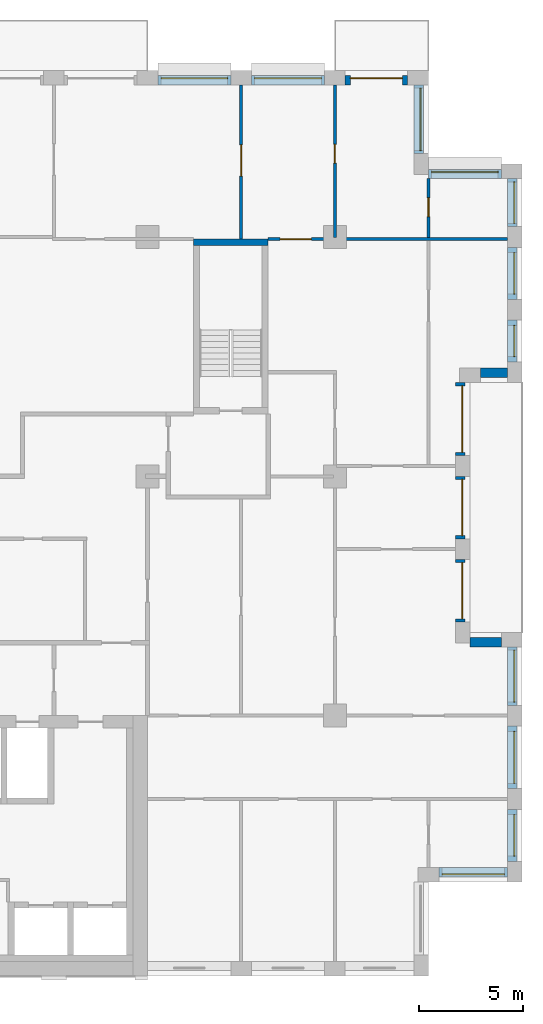
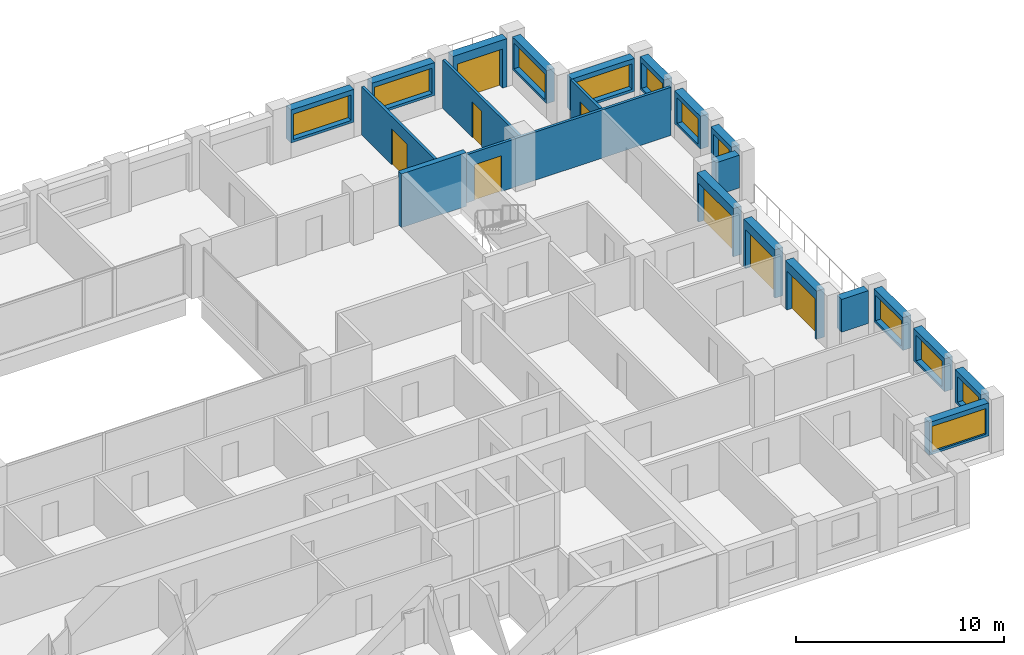
# One storey, part 14 of 16: 22 walls, 11 windows, 8 doors, 19 openings.
"""IFC4 building model written with IfcOpenShell, lengths in metres."""

from ifc_helpers import new_model, si_unit, direction, frame, frame_2d, origin, place, context, subcontext, project, spatial, rectangle, extrude, material, layer, layer_set, type_object, element, fill, save


model = new_model("IFC4")

# Units and contexts
model_context = context("Model", 3, precision=1e-05, world=origin(), true_north=direction((0.0, 1.0)))
body_context = subcontext(model_context, "Body", "Model", "MODEL_VIEW")
ifc_project = project(units=[si_unit("LENGTHUNIT", "METRE"), si_unit("AREAUNIT", "SQUARE_METRE"), si_unit("VOLUMEUNIT", "CUBIC_METRE"), si_unit("PLANEANGLEUNIT", "RADIAN"), si_unit("MASSUNIT", "GRAM", prefix="KILO")], contexts=[model_context])

# Site, building, storey
site_placement = place(None, origin())
site = spatial("IfcSite", under=ifc_project, at=site_placement, CompositionType="ELEMENT")
building_placement = place(site_placement, origin())
building = spatial("IfcBuilding", under=site, at=building_placement, Name="Brigalow Station Residences", CompositionType="ELEMENT")
storey_placement = place(building_placement, frame((0.0, 0.0, 179.10009765625)))
storey = spatial("IfcBuildingStorey", under=building, at=storey_placement, Name="L52", CompositionType="ELEMENT", Elevation=179.10009765625)

# Wall, opening, window
ifc_material_1 = material(Name="Clay brick masonry", Category="masonry")
ifc_layer_1 = layer(ifc_material_1, 0.449951171875)
ifc_layer_set_1 = layer_set([ifc_layer_1], Name="BRICK INFILL WALL 450")
wall_type_1 = type_object("IfcWallType", Name="BRICK INFILL WALL 450", PredefinedType="SOLIDWALL", material=ifc_layer_set_1)
wall_1_placement = place(storey_placement, frame((68.0, 4.97509765625, 0.89990234375), z_axis=(0.0, 0.0, 1.0), x_axis=(1.0, 0.0, 0.0)))
wall_1 = element("IfcWall", 1, at=wall_1_placement, inside=storey, type_object=wall_type_1, Name="L52/ewall/W-L52-8", PredefinedType="SOLIDWALL", context=body_context, shape_type="SweptSolid", body=[
    extrude(rectangle(XDim=3.300048828125, YDim=0.449951171875, at=frame_2d((1.64990234375, 0.0))), origin(), (0.0, 0.0, 1.0), 1.929931640625),
])
opening_1_placement = place(wall_1_placement, frame((0.14990234375, 0.0, 0.14990234375)))
opening_1 = element("IfcOpeningElement", 2, at=opening_1_placement, cuts=wall_1, Name="Opening WT-2", PredefinedType="OPENING", context=body_context, shape_type="SweptSolid", body=[
    extrude(rectangle(XDim=3.0, YDim=1.5, at=frame_2d((1.5, 0.75))), frame((0.0, 0.23486328125, 0.0), z_axis=(0.0, -1.0, 0.0), x_axis=(1.0, 0.0, 0.0)), (0.0, 0.0, 1.0), 0.469970703125),
])
ifc_material_2 = material(Name="Anodised aluminium frame with double glazing", Category="aluminium")
window_type_1 = type_object("IfcWindowType", Name="WINDOW 3000x1500", PartitioningType="SINGLE_PANEL", PredefinedType="WINDOW", material=ifc_material_2)
window_1_placement = place(opening_1_placement, origin())
window_1 = element("IfcWindow", 3, at=window_1_placement, inside=storey, type_object=window_type_1, Name="L52/window/W-L52-8", OverallHeight=1.5, OverallWidth=3.0, PartitioningType="SINGLE_PANEL", PredefinedType="WINDOW", context=body_context, shape_type="SweptSolid", body=[
    extrude(rectangle(XDim=3.0, YDim=1.5, at=frame_2d((1.5, 0.75))), frame((0.0, -0.06494140625, 0.0), z_axis=(0.0, -1.0, 0.0), x_axis=(1.0, 0.0, 0.0)), (0.0, 0.0, 1.0), 0.06005859375),
])
fill(opening_1, window_1)

wall_2_placement = place(storey_placement, frame((71.52490234375, 5.5, 0.89990234375), z_axis=(0.0, 0.0, 1.0), x_axis=(0.0, 1.0, 0.0)))
wall_2 = element("IfcWall", 4, at=wall_2_placement, inside=storey, type_object=wall_type_1, Name="L52/ewall/W-L52-9", PredefinedType="SOLIDWALL", context=body_context, shape_type="SweptSolid", body=[
    extrude(rectangle(XDim=2.5, YDim=0.449951171875, at=frame_2d((1.25, 0.0))), origin(), (0.0, 0.0, 1.0), 1.929931640625),
])
opening_2_placement = place(wall_2_placement, frame((0.25, 0.0, 0.14990234375)))
opening_2 = element("IfcOpeningElement", 5, at=opening_2_placement, cuts=wall_2, Name="Opening WT-7", PredefinedType="OPENING", context=body_context, shape_type="SweptSolid", body=[
    extrude(rectangle(XDim=2.0, YDim=1.5, at=frame_2d((1.0, 0.75))), frame((0.0, 0.23486328125, 0.0), z_axis=(0.0, -1.0, 0.0), x_axis=(1.0, 0.0, 0.0)), (0.0, 0.0, 1.0), 0.469970703125),
])
ifc_material_3 = material(Name="Anodised aluminium frame with double glazing", Category="aluminium")
window_type_2 = type_object("IfcWindowType", Name="WINDOW 2000x1500", PartitioningType="SINGLE_PANEL", PredefinedType="WINDOW", material=ifc_material_3)
window_2_placement = place(opening_2_placement, origin())
window_2 = element("IfcWindow", 6, at=window_2_placement, inside=storey, type_object=window_type_2, Name="L52/window/W-L52-9", OverallHeight=1.5, OverallWidth=2.0, PartitioningType="SINGLE_PANEL", PredefinedType="WINDOW", context=body_context, shape_type="SweptSolid", body=[
    extrude(rectangle(XDim=2.0, YDim=1.5, at=frame_2d((1.0, 0.75))), frame((0.0, -0.06494140625, 0.0), z_axis=(0.0, -1.0, 0.0), x_axis=(1.0, 0.0, 0.0)), (0.0, 0.0, 1.0), 0.06005859375),
])
fill(opening_2, window_2)

wall_3_placement = place(storey_placement, frame((71.52490234375, 9.0, 0.89990234375), z_axis=(0.0, 0.0, 1.0), x_axis=(0.0, 1.0, 0.0)))
wall_3 = element("IfcWall", 7, at=wall_3_placement, inside=storey, type_object=wall_type_1, Name="L52/ewall/W-L52-10", PredefinedType="SOLIDWALL", context=body_context, shape_type="SweptSolid", body=[
    extrude(rectangle(XDim=3.0, YDim=0.449951171875, at=frame_2d((1.5, 0.0))), origin(), (0.0, 0.0, 1.0), 1.929931640625),
])
opening_3_placement = place(wall_3_placement, frame((0.25, 0.0, 0.14990234375)))
opening_3 = element("IfcOpeningElement", 8, at=opening_3_placement, cuts=wall_3, Name="Opening WT-5", PredefinedType="OPENING", context=body_context, shape_type="SweptSolid", body=[
    extrude(rectangle(XDim=2.5, YDim=1.5, at=frame_2d((1.25, 0.75))), frame((0.0, 0.23486328125, 0.0), z_axis=(0.0, -1.0, 0.0), x_axis=(1.0, 0.0, 0.0)), (0.0, 0.0, 1.0), 0.469970703125),
])
ifc_material_4 = material(Name="Anodised aluminium frame with double glazing", Category="aluminium")
window_type_3 = type_object("IfcWindowType", Name="WINDOW 2500x1500", PartitioningType="SINGLE_PANEL", PredefinedType="WINDOW", material=ifc_material_4)
window_3_placement = place(opening_3_placement, origin())
window_3 = element("IfcWindow", 9, at=window_3_placement, inside=storey, type_object=window_type_3, Name="L52/window/W-L52-10", OverallHeight=1.5, OverallWidth=2.5, PartitioningType="SINGLE_PANEL", PredefinedType="WINDOW", context=body_context, shape_type="SweptSolid", body=[
    extrude(rectangle(XDim=2.5, YDim=1.5, at=frame_2d((1.25, 0.75))), frame((0.0, -0.06494140625, 0.0), z_axis=(0.0, -1.0, 0.0), x_axis=(1.0, 0.0, 0.0)), (0.0, 0.0, 1.0), 0.06005859375),
])
fill(opening_3, window_3)

wall_4_placement = place(storey_placement, frame((71.52490234375, 13.0, 0.89990234375), z_axis=(0.0, 0.0, 1.0), x_axis=(0.0, 1.0, 0.0)))
wall_4 = element("IfcWall", 10, at=wall_4_placement, inside=storey, type_object=wall_type_1, Name="L52/ewall/W-L52-11", PredefinedType="SOLIDWALL", context=body_context, shape_type="SweptSolid", body=[
    extrude(rectangle(XDim=2.800048828125, YDim=0.449951171875, at=frame_2d((1.39990234375, 0.0))), origin(), (0.0, 0.0, 1.0), 1.929931640625),
])
opening_4_placement = place(wall_4_placement, frame((0.14990234375, 0.0, 0.14990234375)))
opening_4 = element("IfcOpeningElement", 11, at=opening_4_placement, cuts=wall_4, Name="Opening WT-5", PredefinedType="OPENING", context=body_context, shape_type="SweptSolid", body=[
    extrude(rectangle(XDim=2.5, YDim=1.5, at=frame_2d((1.25, 0.75))), frame((0.0, 0.23486328125, 0.0), z_axis=(0.0, -1.0, 0.0), x_axis=(1.0, 0.0, 0.0)), (0.0, 0.0, 1.0), 0.469970703125),
])
window_4_placement = place(opening_4_placement, origin())
window_4 = element("IfcWindow", 12, at=window_4_placement, inside=storey, type_object=window_type_3, Name="L52/window/W-L52-11", OverallHeight=1.5, OverallWidth=2.5, PartitioningType="SINGLE_PANEL", PredefinedType="WINDOW", context=body_context, shape_type="SweptSolid", body=[
    extrude(rectangle(XDim=2.5, YDim=1.5, at=frame_2d((1.25, 0.75))), frame((0.0, -0.06494140625, 0.0), z_axis=(0.0, -1.0, 0.0), x_axis=(1.0, 0.0, 0.0)), (0.0, 0.0, 1.0), 0.06005859375),
])
fill(opening_4, window_4)

# Wall
wall_5_placement = place(storey_placement, frame((71.0, 16.02490234375, 0.89990234375), z_axis=(0.0, 0.0, 1.0), x_axis=(-1.0, 0.0, 0.0)))
element("IfcWall", 13, at=wall_5_placement, inside=storey, type_object=wall_type_1, Name="L52/ewall/W-L52-12", PredefinedType="SOLIDWALL", context=body_context, shape_type="SweptSolid", body=[
    extrude(rectangle(XDim=1.5, YDim=0.449951171875, at=frame_2d((0.75, 0.0))), origin(), (0.0, 0.0, 1.0), 1.929931640625),
])

# Wall, opening, door
wall_6_placement = place(storey_placement, frame((69.02490234375, 17.0, 0.0), z_axis=(0.0, 0.0, 1.0), x_axis=(0.0, 1.0, 0.0)))
wall_6 = element("IfcWall", 14, at=wall_6_placement, inside=storey, type_object=wall_type_1, Name="L52/ewall/W-L52-13", PredefinedType="SOLIDWALL", context=body_context, shape_type="SweptSolid", body=[
    extrude(rectangle(XDim=3.0, YDim=0.449951171875, at=frame_2d((1.5, 0.0))), origin(), (0.0, 0.0, 1.0), 2.829833984375),
])
opening_5_placement = place(wall_6_placement, frame((0.14990234375, 0.0, 0.0)))
opening_5 = element("IfcOpeningElement", 15, at=opening_5_placement, cuts=wall_6, Name="Opening D-B2700", PredefinedType="OPENING", context=body_context, shape_type="SweptSolid", body=[
    extrude(rectangle(XDim=2.699951171875, YDim=2.300048828125, at=frame_2d((1.35009765625, 1.14990234375))), frame((0.0, 0.23486328125, 0.0), z_axis=(0.0, -1.0, 0.0), x_axis=(1.0, 0.0, 0.0)), (0.0, 0.0, 1.0), 0.469970703125),
])
ifc_material_5 = material(Name="Anodised aluminium frame with double glazing", Category="aluminium")
door_type_1 = type_object("IfcDoorType", Name="BALCONY SLIDING DOOR 2700x2300", OperationType="SLIDING_TO_LEFT", PredefinedType="DOOR", material=ifc_material_5)
door_1_placement = place(opening_5_placement, origin())
door_1 = element("IfcDoor", 16, at=door_1_placement, inside=storey, type_object=door_type_1, Name="L52/balcony-door/W-L52-13", OperationType="SLIDING_TO_LEFT", OverallHeight=2.300048828125, OverallWidth=2.699951171875, PredefinedType="DOOR", context=body_context, shape_type="SweptSolid", body=[
    extrude(rectangle(XDim=2.699951171875, YDim=2.300048828125, at=frame_2d((1.35009765625, 1.14990234375))), frame((0.0, -0.06982421875, 0.0), z_axis=(0.0, -1.0, 0.0), x_axis=(1.0, 0.0, 0.0)), (0.0, 0.0, 1.0), 0.050048828125),
])
fill(opening_5, door_1)

wall_7_placement = place(storey_placement, frame((69.02490234375, 21.0, 0.0), z_axis=(0.0, 0.0, 1.0), x_axis=(0.0, 1.0, 0.0)))
wall_7 = element("IfcWall", 17, at=wall_7_placement, inside=storey, type_object=wall_type_1, Name="L52/ewall/W-L52-14", PredefinedType="SOLIDWALL", context=body_context, shape_type="SweptSolid", body=[
    extrude(rectangle(XDim=3.0, YDim=0.449951171875, at=frame_2d((1.5, 0.0))), origin(), (0.0, 0.0, 1.0), 2.829833984375),
])
opening_6_placement = place(wall_7_placement, frame((0.14990234375, 0.0, 0.0)))
opening_6 = element("IfcOpeningElement", 18, at=opening_6_placement, cuts=wall_7, Name="Opening D-B2700", PredefinedType="OPENING", context=body_context, shape_type="SweptSolid", body=[
    extrude(rectangle(XDim=2.699951171875, YDim=2.300048828125, at=frame_2d((1.35009765625, 1.14990234375))), frame((0.0, 0.23486328125, 0.0), z_axis=(0.0, -1.0, 0.0), x_axis=(1.0, 0.0, 0.0)), (0.0, 0.0, 1.0), 0.469970703125),
])
door_2_placement = place(opening_6_placement, origin())
door_2 = element("IfcDoor", 19, at=door_2_placement, inside=storey, type_object=door_type_1, Name="L52/balcony-door/W-L52-14", OperationType="SLIDING_TO_LEFT", OverallHeight=2.300048828125, OverallWidth=2.699951171875, PredefinedType="DOOR", context=body_context, shape_type="SweptSolid", body=[
    extrude(rectangle(XDim=2.699951171875, YDim=2.300048828125, at=frame_2d((1.35009765625, 1.14990234375))), frame((0.0, -0.06982421875, 0.0), z_axis=(0.0, -1.0, 0.0), x_axis=(1.0, 0.0, 0.0)), (0.0, 0.0, 1.0), 0.050048828125),
])
fill(opening_6, door_2)

wall_8_placement = place(storey_placement, frame((69.02490234375, 25.0, 0.0), z_axis=(0.0, 0.0, 1.0), x_axis=(0.0, 1.0, 0.0)))
wall_8 = element("IfcWall", 20, at=wall_8_placement, inside=storey, type_object=wall_type_1, Name="L52/ewall/W-L52-15", PredefinedType="SOLIDWALL", context=body_context, shape_type="SweptSolid", body=[
    extrude(rectangle(XDim=3.5, YDim=0.449951171875, at=frame_2d((1.75, 0.0))), origin(), (0.0, 0.0, 1.0), 2.829833984375),
])
opening_7_placement = place(wall_8_placement, frame((0.14990234375, 0.0, 0.0)))
opening_7 = element("IfcOpeningElement", 21, at=opening_7_placement, cuts=wall_8, Name="Opening D-B3200", PredefinedType="OPENING", context=body_context, shape_type="SweptSolid", body=[
    extrude(rectangle(XDim=3.199951171875, YDim=2.300048828125, at=frame_2d((1.60009765625, 1.14990234375))), frame((0.0, 0.23486328125, 0.0), z_axis=(0.0, -1.0, 0.0), x_axis=(1.0, 0.0, 0.0)), (0.0, 0.0, 1.0), 0.469970703125),
])
ifc_material_6 = material(Name="Anodised aluminium frame with double glazing", Category="aluminium")
door_type_2 = type_object("IfcDoorType", Name="BALCONY SLIDING DOOR 3200x2300", OperationType="SLIDING_TO_LEFT", PredefinedType="DOOR", material=ifc_material_6)
door_3_placement = place(opening_7_placement, origin())
door_3 = element("IfcDoor", 22, at=door_3_placement, inside=storey, type_object=door_type_2, Name="L52/balcony-door/W-L52-15", OperationType="SLIDING_TO_LEFT", OverallHeight=2.300048828125, OverallWidth=3.199951171875, PredefinedType="DOOR", context=body_context, shape_type="SweptSolid", body=[
    extrude(rectangle(XDim=3.199951171875, YDim=2.300048828125, at=frame_2d((1.60009765625, 1.14990234375))), frame((0.0, -0.06982421875, 0.0), z_axis=(0.0, -1.0, 0.0), x_axis=(1.0, 0.0, 0.0)), (0.0, 0.0, 1.0), 0.050048828125),
])
fill(opening_7, door_3)

# Wall
wall_9_placement = place(storey_placement, frame((70.0, 28.97509765625, 0.89990234375), z_axis=(0.0, 0.0, 1.0), x_axis=(1.0, 0.0, 0.0)))
element("IfcWall", 23, at=wall_9_placement, inside=storey, type_object=wall_type_1, Name="L52/ewall/W-L52-16", PredefinedType="SOLIDWALL", context=body_context, shape_type="SweptSolid", body=[
    extrude(rectangle(XDim=1.300048828125, YDim=0.449951171875, at=frame_2d((0.64990234375, 0.0))), origin(), (0.0, 0.0, 1.0), 1.929931640625),
])

# Wall, opening, window
wall_10_placement = place(storey_placement, frame((71.52490234375, 29.5, 0.89990234375), z_axis=(0.0, 0.0, 1.0), x_axis=(0.0, 1.0, 0.0)))
wall_10 = element("IfcWall", 24, at=wall_10_placement, inside=storey, type_object=wall_type_1, Name="L52/ewall/W-L52-17", PredefinedType="SOLIDWALL", context=body_context, shape_type="SweptSolid", body=[
    extrude(rectangle(XDim=2.0, YDim=0.449951171875, at=frame_2d((1.0, 0.0))), origin(), (0.0, 0.0, 1.0), 1.929931640625),
])
opening_8_placement = place(wall_10_placement, frame((0.25, 0.0, 0.14990234375)))
opening_8 = element("IfcOpeningElement", 25, at=opening_8_placement, cuts=wall_10, Name="Opening WT-1", PredefinedType="OPENING", context=body_context, shape_type="SweptSolid", body=[
    extrude(rectangle(XDim=1.5, YDim=1.5, at=frame_2d((0.75, 0.75))), frame((0.0, 0.23486328125, 0.0), z_axis=(0.0, -1.0, 0.0), x_axis=(1.0, 0.0, 0.0)), (0.0, 0.0, 1.0), 0.469970703125),
])
ifc_material_7 = material(Name="Anodised aluminium frame with double glazing", Category="aluminium")
window_type_4 = type_object("IfcWindowType", Name="WINDOW 1500x1500", PartitioningType="SINGLE_PANEL", PredefinedType="WINDOW", material=ifc_material_7)
window_5_placement = place(opening_8_placement, origin())
window_5 = element("IfcWindow", 26, at=window_5_placement, inside=storey, type_object=window_type_4, Name="L52/window/W-L52-17", OverallHeight=1.5, OverallWidth=1.5, PartitioningType="SINGLE_PANEL", PredefinedType="WINDOW", context=body_context, shape_type="SweptSolid", body=[
    extrude(rectangle(XDim=1.5, YDim=1.5, at=frame_2d((0.75, 0.75))), frame((0.0, -0.06494140625, 0.0), z_axis=(0.0, -1.0, 0.0), x_axis=(1.0, 0.0, 0.0)), (0.0, 0.0, 1.0), 0.06005859375),
])
fill(opening_8, window_5)

wall_11_placement = place(storey_placement, frame((71.52490234375, 32.5, 0.89990234375), z_axis=(0.0, 0.0, 1.0), x_axis=(0.0, 1.0, 0.0)))
wall_11 = element("IfcWall", 27, at=wall_11_placement, inside=storey, type_object=wall_type_1, Name="L52/ewall/W-L52-18", PredefinedType="SOLIDWALL", context=body_context, shape_type="SweptSolid", body=[
    extrude(rectangle(XDim=2.5, YDim=0.449951171875, at=frame_2d((1.25, 0.0))), origin(), (0.0, 0.0, 1.0), 1.929931640625),
])
opening_9_placement = place(wall_11_placement, frame((0.25, 0.0, 0.14990234375)))
opening_9 = element("IfcOpeningElement", 28, at=opening_9_placement, cuts=wall_11, Name="Opening WT-7", PredefinedType="OPENING", context=body_context, shape_type="SweptSolid", body=[
    extrude(rectangle(XDim=2.0, YDim=1.5, at=frame_2d((1.0, 0.75))), frame((0.0, 0.23486328125, 0.0), z_axis=(0.0, -1.0, 0.0), x_axis=(1.0, 0.0, 0.0)), (0.0, 0.0, 1.0), 0.469970703125),
])
window_6_placement = place(opening_9_placement, origin())
window_6 = element("IfcWindow", 29, at=window_6_placement, inside=storey, type_object=window_type_2, Name="L52/window/W-L52-18", OverallHeight=1.5, OverallWidth=2.0, PartitioningType="SINGLE_PANEL", PredefinedType="WINDOW", context=body_context, shape_type="SweptSolid", body=[
    extrude(rectangle(XDim=2.0, YDim=1.5, at=frame_2d((1.0, 0.75))), frame((0.0, -0.06494140625, 0.0), z_axis=(0.0, -1.0, 0.0), x_axis=(1.0, 0.0, 0.0)), (0.0, 0.0, 1.0), 0.06005859375),
])
fill(opening_9, window_6)

wall_12_placement = place(storey_placement, frame((71.52490234375, 36.0, 0.89990234375), z_axis=(0.0, 0.0, 1.0), x_axis=(0.0, 1.0, 0.0)))
wall_12 = element("IfcWall", 30, at=wall_12_placement, inside=storey, type_object=wall_type_1, Name="L52/ewall/W-L52-19", PredefinedType="SOLIDWALL", context=body_context, shape_type="SweptSolid", body=[
    extrude(rectangle(XDim=2.300048828125, YDim=0.449951171875, at=frame_2d((1.14990234375, 0.0))), origin(), (0.0, 0.0, 1.0), 1.929931640625),
])
opening_10_placement = place(wall_12_placement, frame((0.14990234375, 0.0, 0.14990234375)))
opening_10 = element("IfcOpeningElement", 31, at=opening_10_placement, cuts=wall_12, Name="Opening WT-7", PredefinedType="OPENING", context=body_context, shape_type="SweptSolid", body=[
    extrude(rectangle(XDim=2.0, YDim=1.5, at=frame_2d((1.0, 0.75))), frame((0.0, 0.23486328125, 0.0), z_axis=(0.0, -1.0, 0.0), x_axis=(1.0, 0.0, 0.0)), (0.0, 0.0, 1.0), 0.469970703125),
])
window_7_placement = place(opening_10_placement, origin())
window_7 = element("IfcWindow", 32, at=window_7_placement, inside=storey, type_object=window_type_2, Name="L52/window/W-L52-19", OverallHeight=1.5, OverallWidth=2.0, PartitioningType="SINGLE_PANEL", PredefinedType="WINDOW", context=body_context, shape_type="SweptSolid", body=[
    extrude(rectangle(XDim=2.0, YDim=1.5, at=frame_2d((1.0, 0.75))), frame((0.0, -0.06494140625, 0.0), z_axis=(0.0, -1.0, 0.0), x_axis=(1.0, 0.0, 0.0)), (0.0, 0.0, 1.0), 0.06005859375),
])
fill(opening_10, window_7)

wall_13_placement = place(storey_placement, frame((71.0, 38.52490234375, 0.89990234375), z_axis=(0.0, 0.0, 1.0), x_axis=(-1.0, 0.0, 0.0)))
wall_13 = element("IfcWall", 33, at=wall_13_placement, inside=storey, type_object=wall_type_1, Name="L52/ewall/W-L52-20", PredefinedType="SOLIDWALL", context=body_context, shape_type="SweptSolid", body=[
    extrude(rectangle(XDim=3.5, YDim=0.449951171875, at=frame_2d((1.75, 0.0))), origin(), (0.0, 0.0, 1.0), 1.929931640625),
])
opening_11_placement = place(wall_13_placement, frame((0.14990234375, 0.0, 0.14990234375)))
opening_11 = element("IfcOpeningElement", 34, at=opening_11_placement, cuts=wall_13, Name="Opening WT-9", PredefinedType="OPENING", context=body_context, shape_type="SweptSolid", body=[
    extrude(rectangle(XDim=3.199951171875, YDim=1.5, at=frame_2d((1.60009765625, 0.75))), frame((0.0, 0.23486328125, 0.0), z_axis=(0.0, -1.0, 0.0), x_axis=(1.0, 0.0, 0.0)), (0.0, 0.0, 1.0), 0.469970703125),
])
ifc_material_8 = material(Name="Anodised aluminium frame with double glazing", Category="aluminium")
window_type_5 = type_object("IfcWindowType", Name="WINDOW 3200x1500", PartitioningType="SINGLE_PANEL", PredefinedType="WINDOW", material=ifc_material_8)
window_8_placement = place(opening_11_placement, origin())
window_8 = element("IfcWindow", 35, at=window_8_placement, inside=storey, type_object=window_type_5, Name="L52/window/W-L52-20", OverallHeight=1.5, OverallWidth=3.199951171875, PartitioningType="SINGLE_PANEL", PredefinedType="WINDOW", context=body_context, shape_type="SweptSolid", body=[
    extrude(rectangle(XDim=3.199951171875, YDim=1.5, at=frame_2d((1.60009765625, 0.75))), frame((0.0, -0.06494140625, 0.0), z_axis=(0.0, -1.0, 0.0), x_axis=(1.0, 0.0, 0.0)), (0.0, 0.0, 1.0), 0.06005859375),
])
fill(opening_11, window_8)

wall_14_placement = place(storey_placement, frame((67.02490234375, 39.5, 0.89990234375), z_axis=(0.0, 0.0, 1.0), x_axis=(0.0, 1.0, 0.0)))
wall_14 = element("IfcWall", 36, at=wall_14_placement, inside=storey, type_object=wall_type_1, Name="L52/ewall/W-L52-21", PredefinedType="SOLIDWALL", context=body_context, shape_type="SweptSolid", body=[
    extrude(rectangle(XDim=3.300048828125, YDim=0.449951171875, at=frame_2d((1.64990234375, 0.0))), origin(), (0.0, 0.0, 1.0), 1.929931640625),
])
opening_12_placement = place(wall_14_placement, frame((0.14990234375, 0.0, 0.14990234375)))
opening_12 = element("IfcOpeningElement", 37, at=opening_12_placement, cuts=wall_14, Name="Opening WT-2", PredefinedType="OPENING", context=body_context, shape_type="SweptSolid", body=[
    extrude(rectangle(XDim=3.0, YDim=1.5, at=frame_2d((1.5, 0.75))), frame((0.0, 0.23486328125, 0.0), z_axis=(0.0, -1.0, 0.0), x_axis=(1.0, 0.0, 0.0)), (0.0, 0.0, 1.0), 0.469970703125),
])
window_9_placement = place(opening_12_placement, origin())
window_9 = element("IfcWindow", 38, at=window_9_placement, inside=storey, type_object=window_type_1, Name="L52/window/W-L52-21", OverallHeight=1.5, OverallWidth=3.0, PartitioningType="SINGLE_PANEL", PredefinedType="WINDOW", context=body_context, shape_type="SweptSolid", body=[
    extrude(rectangle(XDim=3.0, YDim=1.5, at=frame_2d((1.5, 0.75))), frame((0.0, -0.06494140625, 0.0), z_axis=(0.0, -1.0, 0.0), x_axis=(1.0, 0.0, 0.0)), (0.0, 0.0, 1.0), 0.06005859375),
])
fill(opening_12, window_9)

# Wall, opening, door
wall_15_placement = place(storey_placement, frame((66.5, 43.02490234375, 0.0), z_axis=(0.0, 0.0, 1.0), x_axis=(-1.0, 0.0, 0.0)))
wall_15 = element("IfcWall", 39, at=wall_15_placement, inside=storey, type_object=wall_type_1, Name="L52/ewall/W-L52-22", PredefinedType="SOLIDWALL", context=body_context, shape_type="SweptSolid", body=[
    extrude(rectangle(XDim=3.0, YDim=0.449951171875, at=frame_2d((1.5, 0.0))), origin(), (0.0, 0.0, 1.0), 2.829833984375),
])
opening_13_placement = place(wall_15_placement, frame((0.25, 0.0, 0.0)))
opening_13 = element("IfcOpeningElement", 40, at=opening_13_placement, cuts=wall_15, Name="Opening D-B2500", PredefinedType="OPENING", context=body_context, shape_type="SweptSolid", body=[
    extrude(rectangle(XDim=2.5, YDim=2.300048828125, at=frame_2d((1.25, 1.14990234375))), frame((0.0, 0.23486328125, 0.0), z_axis=(0.0, -1.0, 0.0), x_axis=(1.0, 0.0, 0.0)), (0.0, 0.0, 1.0), 0.469970703125),
])
ifc_material_9 = material(Name="Anodised aluminium frame with double glazing", Category="aluminium")
door_type_3 = type_object("IfcDoorType", Name="BALCONY SLIDING DOOR 2500x2300", OperationType="SLIDING_TO_LEFT", PredefinedType="DOOR", material=ifc_material_9)
door_4_placement = place(opening_13_placement, origin())
door_4 = element("IfcDoor", 41, at=door_4_placement, inside=storey, type_object=door_type_3, Name="L52/balcony-door/W-L52-22", OperationType="SLIDING_TO_LEFT", OverallHeight=2.300048828125, OverallWidth=2.5, PredefinedType="DOOR", context=body_context, shape_type="SweptSolid", body=[
    extrude(rectangle(XDim=2.5, YDim=2.300048828125, at=frame_2d((1.25, 1.14990234375))), frame((0.0, -0.06982421875, 0.0), z_axis=(0.0, -1.0, 0.0), x_axis=(1.0, 0.0, 0.0)), (0.0, 0.0, 1.0), 0.050048828125),
])
fill(opening_13, door_4)

# Wall, opening, window
wall_16_placement = place(storey_placement, frame((62.5, 43.02490234375, 0.89990234375), z_axis=(0.0, 0.0, 1.0), x_axis=(-1.0, 0.0, 0.0)))
wall_16 = element("IfcWall", 42, at=wall_16_placement, inside=storey, type_object=wall_type_1, Name="L52/ewall/W-L52-23", PredefinedType="SOLIDWALL", context=body_context, shape_type="SweptSolid", body=[
    extrude(rectangle(XDim=3.5, YDim=0.449951171875, at=frame_2d((1.75, 0.0))), origin(), (0.0, 0.0, 1.0), 1.929931640625),
])
opening_14_placement = place(wall_16_placement, frame((0.14990234375, 0.0, 0.14990234375)))
opening_14 = element("IfcOpeningElement", 43, at=opening_14_placement, cuts=wall_16, Name="Opening WT-9", PredefinedType="OPENING", context=body_context, shape_type="SweptSolid", body=[
    extrude(rectangle(XDim=3.199951171875, YDim=1.5, at=frame_2d((1.60009765625, 0.75))), frame((0.0, 0.23486328125, 0.0), z_axis=(0.0, -1.0, 0.0), x_axis=(1.0, 0.0, 0.0)), (0.0, 0.0, 1.0), 0.469970703125),
])
window_10_placement = place(opening_14_placement, origin())
window_10 = element("IfcWindow", 44, at=window_10_placement, inside=storey, type_object=window_type_5, Name="L52/window/W-L52-23", OverallHeight=1.5, OverallWidth=3.199951171875, PartitioningType="SINGLE_PANEL", PredefinedType="WINDOW", context=body_context, shape_type="SweptSolid", body=[
    extrude(rectangle(XDim=3.199951171875, YDim=1.5, at=frame_2d((1.60009765625, 0.75))), frame((0.0, -0.06494140625, 0.0), z_axis=(0.0, -1.0, 0.0), x_axis=(1.0, 0.0, 0.0)), (0.0, 0.0, 1.0), 0.06005859375),
])
fill(opening_14, window_10)

wall_17_placement = place(storey_placement, frame((58.0, 43.02490234375, 0.89990234375), z_axis=(0.0, 0.0, 1.0), x_axis=(-1.0, 0.0, 0.0)))
wall_17 = element("IfcWall", 45, at=wall_17_placement, inside=storey, type_object=wall_type_1, Name="L52/ewall/W-L52-24", PredefinedType="SOLIDWALL", context=body_context, shape_type="SweptSolid", body=[
    extrude(rectangle(XDim=3.5, YDim=0.449951171875, at=frame_2d((1.75, 0.0))), origin(), (0.0, 0.0, 1.0), 1.929931640625),
])
opening_15_placement = place(wall_17_placement, frame((0.14990234375, 0.0, 0.14990234375)))
opening_15 = element("IfcOpeningElement", 46, at=opening_15_placement, cuts=wall_17, Name="Opening WT-9", PredefinedType="OPENING", context=body_context, shape_type="SweptSolid", body=[
    extrude(rectangle(XDim=3.199951171875, YDim=1.5, at=frame_2d((1.60009765625, 0.75))), frame((0.0, 0.23486328125, 0.0), z_axis=(0.0, -1.0, 0.0), x_axis=(1.0, 0.0, 0.0)), (0.0, 0.0, 1.0), 0.469970703125),
])
window_11_placement = place(opening_15_placement, origin())
window_11 = element("IfcWindow", 47, at=window_11_placement, inside=storey, type_object=window_type_5, Name="L52/window/W-L52-24", OverallHeight=1.5, OverallWidth=3.199951171875, PartitioningType="SINGLE_PANEL", PredefinedType="WINDOW", context=body_context, shape_type="SweptSolid", body=[
    extrude(rectangle(XDim=3.199951171875, YDim=1.5, at=frame_2d((1.60009765625, 0.75))), frame((0.0, -0.06494140625, 0.0), z_axis=(0.0, -1.0, 0.0), x_axis=(1.0, 0.0, 0.0)), (0.0, 0.0, 1.0), 0.06005859375),
])
fill(opening_15, window_11)

# Wall
ifc_material_10 = material(Name="Concrete C65", Category="concrete")
ifc_layer_2 = layer(ifc_material_10, 0.300048828125)
ifc_layer_set_2 = layer_set([ifc_layer_2], Name="CORE SHEAR WALL 300 C65")
wall_type_2 = type_object("IfcWallType", Name="CORE SHEAR WALL 300 C65", PredefinedType="SHEAR", material=ifc_layer_set_2)
wall_18_placement = place(storey_placement, frame((56.199951171875, 35.25, 0.0), z_axis=(0.0, 0.0, 1.0), x_axis=(1.0, 0.0, 0.0)))
element("IfcWall", 48, at=wall_18_placement, inside=storey, type_object=wall_type_2, Name="CORE WALL ST-S3-N L52", PredefinedType="SHEAR", context=body_context, shape_type="SweptSolid", body=[
    extrude(rectangle(XDim=3.60009765625, YDim=0.300048828125, at=frame_2d((1.800048828125, 0.0))), origin(), (0.0, 0.0, 1.0), 3.14990234375),
])

# Wall, opening, door
ifc_material_11 = material(Name="Plasterboard on steel stud partition", Category="steel")
ifc_layer_3 = layer(ifc_material_11, 0.14990234375)
ifc_layer_set_3 = layer_set([ifc_layer_3], Name="FLAT PARTITION 150")
wall_type_3 = type_object("IfcWallType", Name="FLAT PARTITION 150", PredefinedType="PARTITIONING", material=ifc_layer_set_3)
wall_19_placement = place(storey_placement, frame((59.800048828125, 35.39990234375, 0.0), z_axis=(0.0, 0.0, 1.0), x_axis=(1.0, 0.0, 0.0)))
wall_19 = element("IfcWall", 49, at=wall_19_placement, inside=storey, type_object=wall_type_3, Name="PW-3F13", PredefinedType="PARTITIONING", context=body_context, shape_type="SweptSolid", body=[
    extrude(rectangle(XDim=11.5, YDim=0.14990234375, at=frame_2d((5.75, 0.0))), origin(), (0.0, 0.0, 1.0), 2.829833984375),
])
opening_16_placement = place(wall_19_placement, frame((0.574951171875, 0.0, 0.0)))
opening_16 = element("IfcOpeningElement", 50, at=opening_16_placement, cuts=wall_19, Name="Opening D-3F30", PredefinedType="OPENING", context=body_context, shape_type="SweptSolid", body=[
    extrude(rectangle(XDim=1.5, YDim=2.10009765625, at=frame_2d((0.75, 1.050048828125))), frame((0.0, 0.0849609375, 0.0), z_axis=(0.0, -1.0, 0.0), x_axis=(1.0, 0.0, 0.0)), (0.0, 0.0, 1.0), 0.169921875),
])
ifc_material_12 = material(Name="Solid-core timber door leaf", Category="wood")
door_type_4 = type_object("IfcDoorType", Name="INTERNAL DOUBLE DOOR 1500 x 2100", OperationType="DOUBLE_DOOR_SINGLE_SWING", PredefinedType="DOOR", material=ifc_material_12)
door_5_placement = place(opening_16_placement, origin())
door_5 = element("IfcDoor", 51, at=door_5_placement, inside=storey, type_object=door_type_4, Name="D-3F30", OperationType="DOUBLE_DOOR_SINGLE_SWING", OverallHeight=2.10009765625, OverallWidth=1.5, PredefinedType="DOOR", context=body_context, shape_type="SweptSolid", body=[
    extrude(rectangle(XDim=1.5, YDim=2.10009765625, at=frame_2d((0.75, 1.050048828125))), frame((0.0, 0.02490234375, 0.0), z_axis=(0.0, -1.0, 0.0), x_axis=(1.0, 0.0, 0.0)), (0.0, 0.0, 1.0), 0.050048828125),
])
fill(opening_16, door_5)

wall_20_placement = place(storey_placement, frame((58.5, 35.39990234375, 0.0), z_axis=(0.0, 0.0, 1.0), x_axis=(0.0, 1.0, 0.0)))
wall_20 = element("IfcWall", 52, at=wall_20_placement, inside=storey, type_object=wall_type_3, Name="PW-3F45", PredefinedType="PARTITIONING", context=body_context, shape_type="SweptSolid", body=[
    extrude(rectangle(XDim=7.400146484375, YDim=0.14990234375, at=frame_2d((3.7001953125, 0.0))), origin(), (0.0, 0.0, 1.0), 2.829833984375),
])
opening_17_placement = place(wall_20_placement, frame((3.02490234375, 0.0, 0.0)))
opening_17 = element("IfcOpeningElement", 53, at=opening_17_placement, cuts=wall_20, Name="Opening D-3F31", PredefinedType="OPENING", context=body_context, shape_type="SweptSolid", body=[
    extrude(rectangle(XDim=1.5, YDim=2.10009765625, at=frame_2d((0.75, 1.050048828125))), frame((0.0, 0.0849609375, 0.0), z_axis=(0.0, -1.0, 0.0), x_axis=(1.0, 0.0, 0.0)), (0.0, 0.0, 1.0), 0.169921875),
])
door_6_placement = place(opening_17_placement, frame((1.5, 0.0, 0.0), z_axis=(0.0, 0.0, 1.0), x_axis=(-1.0, 0.0, 0.0)))
door_6 = element("IfcDoor", 54, at=door_6_placement, inside=storey, type_object=door_type_4, Name="D-3F31", OperationType="DOUBLE_DOOR_SINGLE_SWING", OverallHeight=2.10009765625, OverallWidth=1.5, PredefinedType="DOOR", context=body_context, shape_type="SweptSolid", body=[
    extrude(rectangle(XDim=1.5, YDim=2.10009765625, at=frame_2d((0.75, 1.050048828125))), frame((0.0, 0.02490234375, 0.0), z_axis=(0.0, -1.0, 0.0), x_axis=(1.0, 0.0, 0.0)), (0.0, 0.0, 1.0), 0.050048828125),
])
fill(opening_17, door_6)

wall_21_placement = place(storey_placement, frame((63.0, 35.47509765625, 0.0), z_axis=(0.0, 0.0, 1.0), x_axis=(0.0, 1.0, 0.0)))
wall_21 = element("IfcWall", 55, at=wall_21_placement, inside=storey, type_object=wall_type_3, Name="PW-3F48", PredefinedType="PARTITIONING", context=body_context, shape_type="SweptSolid", body=[
    extrude(rectangle(XDim=7.324951171875, YDim=0.14990234375, at=frame_2d((3.66259765625, 0.0))), origin(), (0.0, 0.0, 1.0), 2.829833984375),
])
opening_18_placement = place(wall_21_placement, frame((3.574951171875, 0.0, 0.0)))
opening_18 = element("IfcOpeningElement", 56, at=opening_18_placement, cuts=wall_21, Name="Opening D-3F32", PredefinedType="OPENING", context=body_context, shape_type="SweptSolid", body=[
    extrude(rectangle(XDim=0.89990234375, YDim=2.10009765625, at=frame_2d((0.449951171875, 1.050048828125))), frame((0.0, 0.0849609375, 0.0), z_axis=(0.0, -1.0, 0.0), x_axis=(1.0, 0.0, 0.0)), (0.0, 0.0, 1.0), 0.169921875),
])
ifc_material_13 = material(Name="Solid-core timber door leaf", Category="wood")
door_type_5 = type_object("IfcDoorType", Name="INTERNAL DOOR 900 x 2100", OperationType="SINGLE_SWING_LEFT", PredefinedType="DOOR", material=ifc_material_13)
door_7_placement = place(opening_18_placement, frame((0.89990234375, 0.0, 0.0), z_axis=(0.0, 0.0, 1.0), x_axis=(-1.0, 0.0, 0.0)))
door_7 = element("IfcDoor", 57, at=door_7_placement, inside=storey, type_object=door_type_5, Name="D-3F32", OperationType="SINGLE_SWING_LEFT", OverallHeight=2.10009765625, OverallWidth=0.89990234375, PredefinedType="DOOR", context=body_context, shape_type="SweptSolid", body=[
    extrude(rectangle(XDim=0.89990234375, YDim=2.10009765625, at=frame_2d((0.449951171875, 1.050048828125))), frame((0.0, 0.02490234375, 0.0), z_axis=(0.0, -1.0, 0.0), x_axis=(1.0, 0.0, 0.0)), (0.0, 0.0, 1.0), 0.050048828125),
])
fill(opening_18, door_7)

wall_22_placement = place(storey_placement, frame((67.5, 35.47509765625, 0.0), z_axis=(0.0, 0.0, 1.0), x_axis=(0.0, 1.0, 0.0)))
wall_22 = element("IfcWall", 58, at=wall_22_placement, inside=storey, type_object=wall_type_3, Name="PW-3F51", PredefinedType="PARTITIONING", context=body_context, shape_type="SweptSolid", body=[
    extrude(rectangle(XDim=2.824951171875, YDim=0.14990234375, at=frame_2d((1.41259765625, 0.0))), origin(), (0.0, 0.0, 1.0), 2.829833984375),
])
opening_19_placement = place(wall_22_placement, frame((1.0, 0.0, 0.0)))
opening_19 = element("IfcOpeningElement", 59, at=opening_19_placement, cuts=wall_22, Name="Opening D-3F35", PredefinedType="OPENING", context=body_context, shape_type="SweptSolid", body=[
    extrude(rectangle(XDim=0.89990234375, YDim=2.10009765625, at=frame_2d((0.449951171875, 1.050048828125))), frame((0.0, 0.0849609375, 0.0), z_axis=(0.0, -1.0, 0.0), x_axis=(1.0, 0.0, 0.0)), (0.0, 0.0, 1.0), 0.169921875),
])
door_8_placement = place(opening_19_placement, frame((0.89990234375, 0.0, 0.0), z_axis=(0.0, 0.0, 1.0), x_axis=(-1.0, 0.0, 0.0)))
door_8 = element("IfcDoor", 60, at=door_8_placement, inside=storey, type_object=door_type_5, Name="D-3F35", OperationType="SINGLE_SWING_LEFT", OverallHeight=2.10009765625, OverallWidth=0.89990234375, PredefinedType="DOOR", context=body_context, shape_type="SweptSolid", body=[
    extrude(rectangle(XDim=0.89990234375, YDim=2.10009765625, at=frame_2d((0.449951171875, 1.050048828125))), frame((0.0, 0.02490234375, 0.0), z_axis=(0.0, -1.0, 0.0), x_axis=(1.0, 0.0, 0.0)), (0.0, 0.0, 1.0), 0.050048828125),
])
fill(opening_19, door_8)

save(model, "model.ifc")
